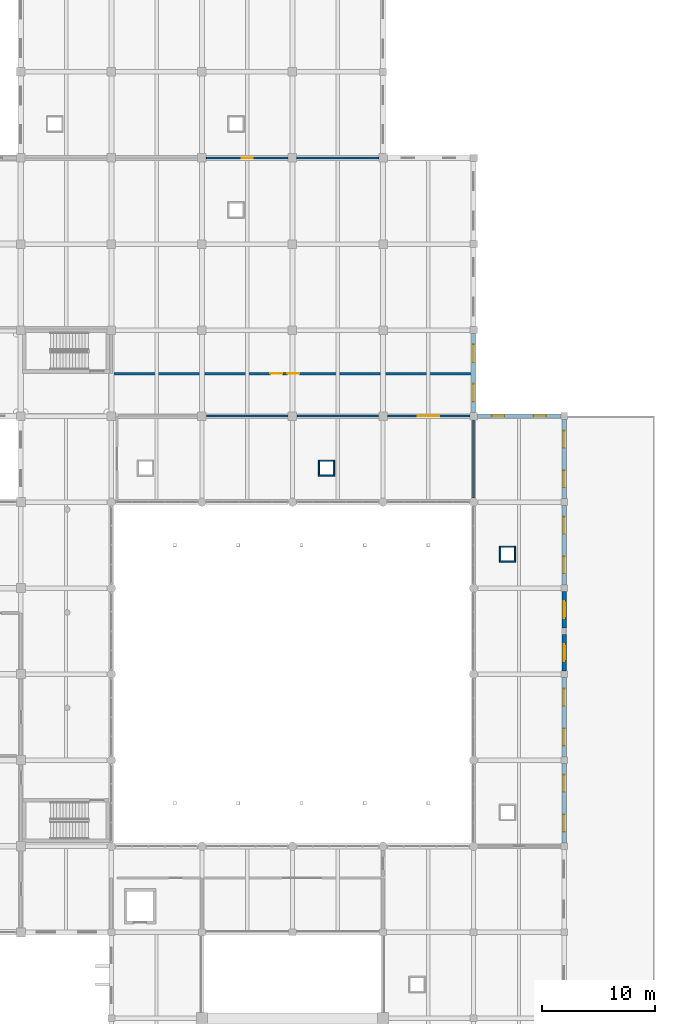
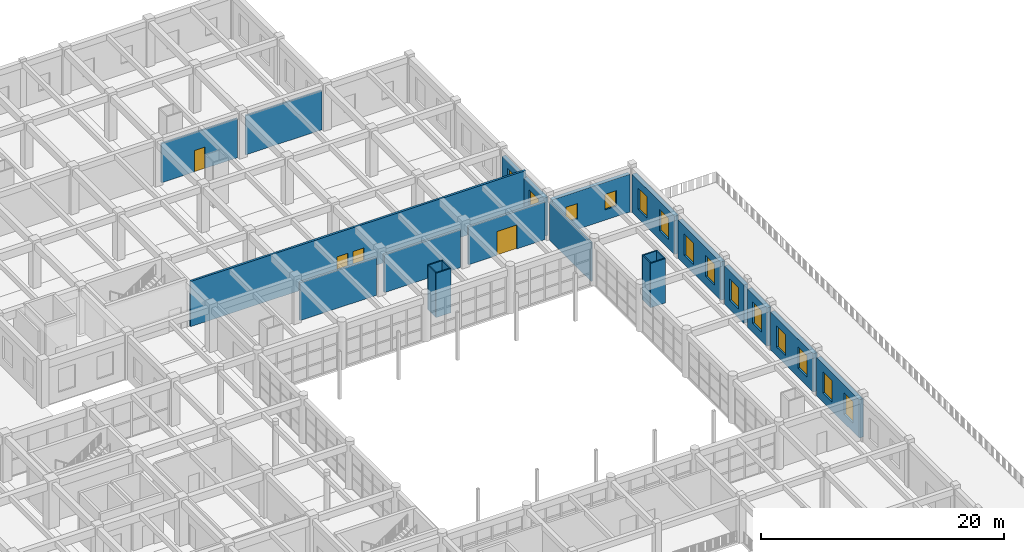
# One storey, part 82 of 101: 23 walls, 14 windows, 4 doors, 18 openings.
"""IFC4 building model written with IfcOpenShell, lengths in metres."""

from ifc_helpers import new_model, si_unit, direction, frame, frame_2d, origin, place, context, subcontext, project, spatial, rectangle, extrude, material, layer, layer_set, type_object, element, fill, save


model = new_model("IFC4")

# Units and contexts
model_context = context("Model", 3, precision=1e-05, world=origin(), true_north=direction((0.0, 1.0)))
body_context = subcontext(model_context, "Body", "Model", "MODEL_VIEW")
ifc_project = project(units=[si_unit("LENGTHUNIT", "METRE"), si_unit("AREAUNIT", "SQUARE_METRE"), si_unit("VOLUMEUNIT", "CUBIC_METRE"), si_unit("PLANEANGLEUNIT", "RADIAN"), si_unit("MASSUNIT", "GRAM", prefix="KILO")], contexts=[model_context])

# Site, building, storey
site_placement = place(None, origin())
site = spatial("IfcSite", under=ifc_project, at=site_placement, CompositionType="ELEMENT")
building_placement = place(site_placement, origin())
building = spatial("IfcBuilding", under=site, at=building_placement, Name="Zantavel Square City Hall", CompositionType="ELEMENT")
storey_placement = place(building_placement, frame((0.0, 0.0, 5.39990234375)))
storey = spatial("IfcBuildingStorey", under=building, at=storey_placement, Name="L02", CompositionType="ELEMENT", Elevation=5.39990234375)

# Wall, openings, windows
ifc_material_1 = material(Name="Cantera volcanic tuff stone", Category="masonry")
ifc_layer_1 = layer(ifc_material_1, 0.39990234375, Name="Cantera volcanic tuff stone")
ifc_layer_set_1 = layer_set([ifc_layer_1], Name="Cantera volcanic tuff stone")
wall_type_1 = type_object("IfcWallType", Name="Civic Pavilion Cantera Ashlar Wall 400mm", PredefinedType="STANDARD", material=ifc_layer_set_1)
wall_1_placement = place(storey_placement, frame((160.0, 75.699951171875, 0.0), z_axis=(0.0, 0.0, 1.0), x_axis=(0.0, -1.0, 0.0)))
wall_1 = element("IfcWall", 1, at=wall_1_placement, inside=storey, type_object=wall_type_1, Name="L02 Exterior Wall EW-L02-051", PredefinedType="STANDARD", context=body_context, shape_type="SweptSolid", body=[
    extrude(rectangle(XDim=7.0, YDim=0.39990234375, at=frame_2d((3.5, 0.0))), origin(), (0.0, 0.0, 1.0), 3.85009765625),
])
opening_1_placement = place(wall_1_placement, frame((1.0, 0.0, 0.89990234375)))
opening_1 = element("IfcOpeningElement", 2, at=opening_1_placement, cuts=wall_1, Name="Opening W-225", PredefinedType="OPENING", context=body_context, shape_type="SweptSolid", body=[
    extrude(rectangle(XDim=1.5, YDim=2.14990234375, at=frame_2d((0.75, 1.074951171875))), frame((0.0, 0.2099609375, 0.0), z_axis=(0.0, -1.0, 0.0), x_axis=(1.0, 0.0, 0.0)), (0.0, 0.0, 1.0), 0.419921875),
])
opening_2_placement = place(wall_1_placement, frame((4.5, 0.0, 0.89990234375)))
opening_2 = element("IfcOpeningElement", 3, at=opening_2_placement, cuts=wall_1, Name="Opening W-226", PredefinedType="OPENING", context=body_context, shape_type="SweptSolid", body=[
    extrude(rectangle(XDim=1.5, YDim=2.14990234375, at=frame_2d((0.75, 1.074951171875))), frame((0.0, 0.2099609375, 0.0), z_axis=(0.0, -1.0, 0.0), x_axis=(1.0, 0.0, 0.0)), (0.0, 0.0, 1.0), 0.419921875),
])
ifc_material_2 = material(Name="Tempered safety glass low-E double glazing", Category="glass")
window_type_1 = type_object("IfcWindowType", Name="Window Mezzanine Annex 1500x2150", PartitioningType="DOUBLE_PANEL_VERTICAL", PredefinedType="WINDOW", material=ifc_material_2)
window_1_placement = place(opening_1_placement, origin())
window_1 = element("IfcWindow", 4, at=window_1_placement, inside=storey, type_object=window_type_1, Name="L02 Window W-225", OverallHeight=2.14990234375, OverallWidth=1.5, PartitioningType="DOUBLE_PANEL_VERTICAL", PredefinedType="WINDOW", context=body_context, shape_type="SweptSolid", body=[
    extrude(rectangle(XDim=1.5, YDim=2.14990234375, at=frame_2d((0.75, 1.074951171875))), frame((0.0, 0.030029296875, 0.0), z_axis=(0.0, -1.0, 0.0), x_axis=(1.0, 0.0, 0.0)), (0.0, 0.0, 1.0), 0.06005859375),
])
fill(opening_1, window_1)
window_2_placement = place(opening_2_placement, origin())
window_2 = element("IfcWindow", 5, at=window_2_placement, inside=storey, type_object=window_type_1, Name="L02 Window W-226", OverallHeight=2.14990234375, OverallWidth=1.5, PartitioningType="DOUBLE_PANEL_VERTICAL", PredefinedType="WINDOW", context=body_context, shape_type="SweptSolid", body=[
    extrude(rectangle(XDim=1.5, YDim=2.14990234375, at=frame_2d((0.75, 1.074951171875))), frame((0.0, 0.030029296875, 0.0), z_axis=(0.0, -1.0, 0.0), x_axis=(1.0, 0.0, 0.0)), (0.0, 0.0, 1.0), 0.06005859375),
])
fill(opening_2, window_2)

wall_2_placement = place(storey_placement, frame((160.0, 68.10009765625, 0.0), z_axis=(0.0, 0.0, 1.0), x_axis=(0.0, -1.0, 0.0)))
wall_2 = element("IfcWall", 6, at=wall_2_placement, inside=storey, type_object=wall_type_1, Name="L02 Exterior Wall EW-L02-052", PredefinedType="STANDARD", context=body_context, shape_type="SweptSolid", body=[
    extrude(rectangle(XDim=7.0, YDim=0.39990234375, at=frame_2d((3.5, 0.0))), origin(), (0.0, 0.0, 1.0), 3.85009765625),
])
opening_3_placement = place(wall_2_placement, frame((1.0, 0.0, 0.89990234375)))
opening_3 = element("IfcOpeningElement", 7, at=opening_3_placement, cuts=wall_2, Name="Opening W-227", PredefinedType="OPENING", context=body_context, shape_type="SweptSolid", body=[
    extrude(rectangle(XDim=1.5, YDim=2.14990234375, at=frame_2d((0.75, 1.074951171875))), frame((0.0, 0.2099609375, 0.0), z_axis=(0.0, -1.0, 0.0), x_axis=(1.0, 0.0, 0.0)), (0.0, 0.0, 1.0), 0.419921875),
])
opening_4_placement = place(wall_2_placement, frame((4.5, 0.0, 0.89990234375)))
opening_4 = element("IfcOpeningElement", 8, at=opening_4_placement, cuts=wall_2, Name="Opening W-228", PredefinedType="OPENING", context=body_context, shape_type="SweptSolid", body=[
    extrude(rectangle(XDim=1.5, YDim=2.14990234375, at=frame_2d((0.75, 1.074951171875))), frame((0.0, 0.2099609375, 0.0), z_axis=(0.0, -1.0, 0.0), x_axis=(1.0, 0.0, 0.0)), (0.0, 0.0, 1.0), 0.419921875),
])
window_3_placement = place(opening_3_placement, origin())
window_3 = element("IfcWindow", 9, at=window_3_placement, inside=storey, type_object=window_type_1, Name="L02 Window W-227", OverallHeight=2.14990234375, OverallWidth=1.5, PartitioningType="DOUBLE_PANEL_VERTICAL", PredefinedType="WINDOW", context=body_context, shape_type="SweptSolid", body=[
    extrude(rectangle(XDim=1.5, YDim=2.14990234375, at=frame_2d((0.75, 1.074951171875))), frame((0.0, 0.030029296875, 0.0), z_axis=(0.0, -1.0, 0.0), x_axis=(1.0, 0.0, 0.0)), (0.0, 0.0, 1.0), 0.06005859375),
])
fill(opening_3, window_3)
window_4_placement = place(opening_4_placement, origin())
window_4 = element("IfcWindow", 10, at=window_4_placement, inside=storey, type_object=window_type_1, Name="L02 Window W-228", OverallHeight=2.14990234375, OverallWidth=1.5, PartitioningType="DOUBLE_PANEL_VERTICAL", PredefinedType="WINDOW", context=body_context, shape_type="SweptSolid", body=[
    extrude(rectangle(XDim=1.5, YDim=2.14990234375, at=frame_2d((0.75, 1.074951171875))), frame((0.0, 0.030029296875, 0.0), z_axis=(0.0, -1.0, 0.0), x_axis=(1.0, 0.0, 0.0)), (0.0, 0.0, 1.0), 0.06005859375),
])
fill(opening_4, window_4)

# Wall, opening, window
wall_3_placement = place(storey_placement, frame((160.0, 60.5, 0.0), z_axis=(0.0, 0.0, 1.0), x_axis=(0.0, -1.0, 0.0)))
wall_3 = element("IfcWall", 11, at=wall_3_placement, inside=storey, type_object=wall_type_1, Name="L02 Exterior Wall EW-L02-053", PredefinedType="STANDARD", context=body_context, shape_type="SweptSolid", body=[
    extrude(rectangle(XDim=3.199951171875, YDim=0.39990234375, at=frame_2d((1.60009765625, 0.0))), origin(), (0.0, 0.0, 1.0), 3.85009765625),
])
opening_5_placement = place(wall_3_placement, frame((0.85009765625, 0.0, 0.89990234375)))
opening_5 = element("IfcOpeningElement", 12, at=opening_5_placement, cuts=wall_3, Name="Opening W-229", PredefinedType="OPENING", context=body_context, shape_type="SweptSolid", body=[
    extrude(rectangle(XDim=1.5, YDim=2.14990234375, at=frame_2d((0.75, 1.074951171875))), frame((0.0, 0.2099609375, 0.0), z_axis=(0.0, -1.0, 0.0), x_axis=(1.0, 0.0, 0.0)), (0.0, 0.0, 1.0), 0.419921875),
])
window_5_placement = place(opening_5_placement, origin())
window_5 = element("IfcWindow", 13, at=window_5_placement, inside=storey, type_object=window_type_1, Name="L02 Window W-229", OverallHeight=2.14990234375, OverallWidth=1.5, PartitioningType="DOUBLE_PANEL_VERTICAL", PredefinedType="WINDOW", context=body_context, shape_type="SweptSolid", body=[
    extrude(rectangle(XDim=1.5, YDim=2.14990234375, at=frame_2d((0.75, 1.074951171875))), frame((0.0, 0.030029296875, 0.0), z_axis=(0.0, -1.0, 0.0), x_axis=(1.0, 0.0, 0.0)), (0.0, 0.0, 1.0), 0.06005859375),
])
fill(opening_5, window_5)

wall_4_placement = place(storey_placement, frame((160.0, 56.699951171875, 0.0), z_axis=(0.0, 0.0, 1.0), x_axis=(0.0, -1.0, 0.0)))
wall_4 = element("IfcWall", 14, at=wall_4_placement, inside=storey, type_object=wall_type_1, Name="L02 Exterior Wall EW-L02-054", PredefinedType="STANDARD", context=body_context, shape_type="SweptSolid", body=[
    extrude(rectangle(XDim=3.199951171875, YDim=0.39990234375, at=frame_2d((1.60009765625, 0.0))), origin(), (0.0, 0.0, 1.0), 3.85009765625),
])
opening_6_placement = place(wall_4_placement, frame((0.85009765625, 0.0, 0.89990234375)))
opening_6 = element("IfcOpeningElement", 15, at=opening_6_placement, cuts=wall_4, Name="Opening W-230", PredefinedType="OPENING", context=body_context, shape_type="SweptSolid", body=[
    extrude(rectangle(XDim=1.5, YDim=2.14990234375, at=frame_2d((0.75, 1.074951171875))), frame((0.0, 0.2099609375, 0.0), z_axis=(0.0, -1.0, 0.0), x_axis=(1.0, 0.0, 0.0)), (0.0, 0.0, 1.0), 0.419921875),
])
window_6_placement = place(opening_6_placement, origin())
window_6 = element("IfcWindow", 16, at=window_6_placement, inside=storey, type_object=window_type_1, Name="L02 Window W-230", OverallHeight=2.14990234375, OverallWidth=1.5, PartitioningType="DOUBLE_PANEL_VERTICAL", PredefinedType="WINDOW", context=body_context, shape_type="SweptSolid", body=[
    extrude(rectangle(XDim=1.5, YDim=2.14990234375, at=frame_2d((0.75, 1.074951171875))), frame((0.0, 0.030029296875, 0.0), z_axis=(0.0, -1.0, 0.0), x_axis=(1.0, 0.0, 0.0)), (0.0, 0.0, 1.0), 0.06005859375),
])
fill(opening_6, window_6)

# Wall, openings, windows
wall_5_placement = place(storey_placement, frame((160.0, 52.89990234375, 0.0), z_axis=(0.0, 0.0, 1.0), x_axis=(0.0, -1.0, 0.0)))
wall_5 = element("IfcWall", 17, at=wall_5_placement, inside=storey, type_object=wall_type_1, Name="L02 Exterior Wall EW-L02-055", PredefinedType="STANDARD", context=body_context, shape_type="SweptSolid", body=[
    extrude(rectangle(XDim=7.0, YDim=0.39990234375, at=frame_2d((3.5, 0.0))), origin(), (0.0, 0.0, 1.0), 3.85009765625),
])
opening_7_placement = place(wall_5_placement, frame((1.0, 0.0, 0.89990234375)))
opening_7 = element("IfcOpeningElement", 18, at=opening_7_placement, cuts=wall_5, Name="Opening W-231", PredefinedType="OPENING", context=body_context, shape_type="SweptSolid", body=[
    extrude(rectangle(XDim=1.5, YDim=2.14990234375, at=frame_2d((0.75, 1.074951171875))), frame((0.0, 0.2099609375, 0.0), z_axis=(0.0, -1.0, 0.0), x_axis=(1.0, 0.0, 0.0)), (0.0, 0.0, 1.0), 0.419921875),
])
opening_8_placement = place(wall_5_placement, frame((4.5, 0.0, 0.89990234375)))
opening_8 = element("IfcOpeningElement", 19, at=opening_8_placement, cuts=wall_5, Name="Opening W-232", PredefinedType="OPENING", context=body_context, shape_type="SweptSolid", body=[
    extrude(rectangle(XDim=1.5, YDim=2.14990234375, at=frame_2d((0.75, 1.074951171875))), frame((0.0, 0.2099609375, 0.0), z_axis=(0.0, -1.0, 0.0), x_axis=(1.0, 0.0, 0.0)), (0.0, 0.0, 1.0), 0.419921875),
])
window_7_placement = place(opening_7_placement, origin())
window_7 = element("IfcWindow", 20, at=window_7_placement, inside=storey, type_object=window_type_1, Name="L02 Window W-231", OverallHeight=2.14990234375, OverallWidth=1.5, PartitioningType="DOUBLE_PANEL_VERTICAL", PredefinedType="WINDOW", context=body_context, shape_type="SweptSolid", body=[
    extrude(rectangle(XDim=1.5, YDim=2.14990234375, at=frame_2d((0.75, 1.074951171875))), frame((0.0, 0.030029296875, 0.0), z_axis=(0.0, -1.0, 0.0), x_axis=(1.0, 0.0, 0.0)), (0.0, 0.0, 1.0), 0.06005859375),
])
fill(opening_7, window_7)
window_8_placement = place(opening_8_placement, origin())
window_8 = element("IfcWindow", 21, at=window_8_placement, inside=storey, type_object=window_type_1, Name="L02 Window W-232", OverallHeight=2.14990234375, OverallWidth=1.5, PartitioningType="DOUBLE_PANEL_VERTICAL", PredefinedType="WINDOW", context=body_context, shape_type="SweptSolid", body=[
    extrude(rectangle(XDim=1.5, YDim=2.14990234375, at=frame_2d((0.75, 1.074951171875))), frame((0.0, 0.030029296875, 0.0), z_axis=(0.0, -1.0, 0.0), x_axis=(1.0, 0.0, 0.0)), (0.0, 0.0, 1.0), 0.06005859375),
])
fill(opening_8, window_8)

wall_6_placement = place(storey_placement, frame((160.0, 45.300048828125, 0.0), z_axis=(0.0, 0.0, 1.0), x_axis=(0.0, -1.0, 0.0)))
wall_6 = element("IfcWall", 22, at=wall_6_placement, inside=storey, type_object=wall_type_1, Name="L02 Exterior Wall EW-L02-056", PredefinedType="STANDARD", context=body_context, shape_type="SweptSolid", body=[
    extrude(rectangle(XDim=7.0, YDim=0.39990234375, at=frame_2d((3.5, 0.0))), origin(), (0.0, 0.0, 1.0), 3.85009765625),
])
opening_9_placement = place(wall_6_placement, frame((1.0, 0.0, 0.89990234375)))
opening_9 = element("IfcOpeningElement", 23, at=opening_9_placement, cuts=wall_6, Name="Opening W-233", PredefinedType="OPENING", context=body_context, shape_type="SweptSolid", body=[
    extrude(rectangle(XDim=1.5, YDim=2.14990234375, at=frame_2d((0.75, 1.074951171875))), frame((0.0, 0.2099609375, 0.0), z_axis=(0.0, -1.0, 0.0), x_axis=(1.0, 0.0, 0.0)), (0.0, 0.0, 1.0), 0.419921875),
])
opening_10_placement = place(wall_6_placement, frame((4.5, 0.0, 0.89990234375)))
opening_10 = element("IfcOpeningElement", 24, at=opening_10_placement, cuts=wall_6, Name="Opening W-234", PredefinedType="OPENING", context=body_context, shape_type="SweptSolid", body=[
    extrude(rectangle(XDim=1.5, YDim=2.14990234375, at=frame_2d((0.75, 1.074951171875))), frame((0.0, 0.2099609375, 0.0), z_axis=(0.0, -1.0, 0.0), x_axis=(1.0, 0.0, 0.0)), (0.0, 0.0, 1.0), 0.419921875),
])
window_9_placement = place(opening_9_placement, origin())
window_9 = element("IfcWindow", 25, at=window_9_placement, inside=storey, type_object=window_type_1, Name="L02 Window W-233", OverallHeight=2.14990234375, OverallWidth=1.5, PartitioningType="DOUBLE_PANEL_VERTICAL", PredefinedType="WINDOW", context=body_context, shape_type="SweptSolid", body=[
    extrude(rectangle(XDim=1.5, YDim=2.14990234375, at=frame_2d((0.75, 1.074951171875))), frame((0.0, 0.030029296875, 0.0), z_axis=(0.0, -1.0, 0.0), x_axis=(1.0, 0.0, 0.0)), (0.0, 0.0, 1.0), 0.06005859375),
])
fill(opening_9, window_9)
window_10_placement = place(opening_10_placement, origin())
window_10 = element("IfcWindow", 26, at=window_10_placement, inside=storey, type_object=window_type_1, Name="L02 Window W-234", OverallHeight=2.14990234375, OverallWidth=1.5, PartitioningType="DOUBLE_PANEL_VERTICAL", PredefinedType="WINDOW", context=body_context, shape_type="SweptSolid", body=[
    extrude(rectangle(XDim=1.5, YDim=2.14990234375, at=frame_2d((0.75, 1.074951171875))), frame((0.0, 0.030029296875, 0.0), z_axis=(0.0, -1.0, 0.0), x_axis=(1.0, 0.0, 0.0)), (0.0, 0.0, 1.0), 0.06005859375),
])
fill(opening_10, window_10)

ifc_layer_2 = layer(ifc_material_1, 0.360107421875, Name="Cantera volcanic tuff stone")
ifc_layer_set_2 = layer_set([ifc_layer_2], Name="Cantera volcanic tuff stone")
wall_type_2 = type_object("IfcWallType", Name="Courtyard Cantera Facade Wall 360mm", PredefinedType="STANDARD", material=ifc_layer_set_2)
wall_7_placement = place(storey_placement, frame((152.0, 83.27490234375, 0.0), z_axis=(0.0, 0.0, 1.0), x_axis=(0.0, -1.0, 0.0)))
wall_7 = element("IfcWall", 27, at=wall_7_placement, inside=storey, type_object=wall_type_2, Name="L02 Exterior Wall EW-L02-049", PredefinedType="STANDARD", context=body_context, shape_type="SweptSolid", body=[
    extrude(rectangle(XDim=6.949951171875, YDim=0.360107421875, at=frame_2d((3.47509765625, 0.0))), origin(), (0.0, 0.0, 1.0), 3.840087890625),
])
opening_11_placement = place(wall_7_placement, frame((0.947509765625, 0.0, 0.89990234375)))
opening_11 = element("IfcOpeningElement", 28, at=opening_11_placement, cuts=wall_7, Name="Opening W-221", PredefinedType="OPENING", context=body_context, shape_type="SweptSolid", body=[
    extrude(rectangle(XDim=1.580078125, YDim=2.280029296875, at=frame_2d((0.7900390625, 1.14013671875))), frame((0.0, 0.18994140625, 0.0), z_axis=(0.0, -1.0, 0.0), x_axis=(1.0, 0.0, 0.0)), (0.0, 0.0, 1.0), 0.380126953125),
])
opening_12_placement = place(wall_7_placement, frame((4.422607421875, 0.0, 0.89990234375)))
opening_12 = element("IfcOpeningElement", 29, at=opening_12_placement, cuts=wall_7, Name="Opening W-222", PredefinedType="OPENING", context=body_context, shape_type="SweptSolid", body=[
    extrude(rectangle(XDim=1.580078125, YDim=2.280029296875, at=frame_2d((0.7900390625, 1.14013671875))), frame((0.0, 0.18994140625, 0.0), z_axis=(0.0, -1.0, 0.0), x_axis=(1.0, 0.0, 0.0)), (0.0, 0.0, 1.0), 0.380126953125),
])
window_type_2 = type_object("IfcWindowType", Name="Window Treasury Tall 1580x2280", PartitioningType="DOUBLE_PANEL_VERTICAL", PredefinedType="WINDOW", material=ifc_material_2)
window_11_placement = place(opening_11_placement, origin())
window_11 = element("IfcWindow", 30, at=window_11_placement, inside=storey, type_object=window_type_2, Name="L02 Window W-221", OverallHeight=2.280029296875, OverallWidth=1.580078125, PartitioningType="DOUBLE_PANEL_VERTICAL", PredefinedType="WINDOW", context=body_context, shape_type="SweptSolid", body=[
    extrude(rectangle(XDim=1.580078125, YDim=2.280029296875, at=frame_2d((0.7900390625, 1.14013671875))), frame((0.0, 0.030029296875, 0.0), z_axis=(0.0, -1.0, 0.0), x_axis=(1.0, 0.0, 0.0)), (0.0, 0.0, 1.0), 0.06005859375),
])
fill(opening_11, window_11)
window_12_placement = place(opening_12_placement, origin())
window_12 = element("IfcWindow", 31, at=window_12_placement, inside=storey, type_object=window_type_2, Name="L02 Window W-222", OverallHeight=2.280029296875, OverallWidth=1.580078125, PartitioningType="DOUBLE_PANEL_VERTICAL", PredefinedType="WINDOW", context=body_context, shape_type="SweptSolid", body=[
    extrude(rectangle(XDim=1.580078125, YDim=2.280029296875, at=frame_2d((0.7900390625, 1.14013671875))), frame((0.0, 0.030029296875, 0.0), z_axis=(0.0, -1.0, 0.0), x_axis=(1.0, 0.0, 0.0)), (0.0, 0.0, 1.0), 0.06005859375),
])
fill(opening_12, window_12)

# Wall
ifc_material_3 = material(Name="Gypsum acoustic stud assembly", Category="masonry")
ifc_layer_3 = layer(ifc_material_3, 0.14990234375, Name="Gypsum acoustic stud assembly")
ifc_layer_set_3 = layer_set([ifc_layer_3], Name="Gypsum acoustic stud assembly")
wall_type_3 = type_object("IfcWallType", Name="Department Office Partition 150mm", PredefinedType="PARTITIONING", material=ifc_layer_set_3)
wall_8_placement = place(storey_placement, frame((152.0, 68.784912109375, 0.0), z_axis=(0.0, 0.0, 1.0), x_axis=(0.0, 1.0, 0.0)))
element("IfcWall", 32, at=wall_8_placement, inside=storey, type_object=wall_type_3, Name="L02 Interior Wall IW-L02-0208", PredefinedType="PARTITIONING", context=body_context, shape_type="SweptSolid", body=[
    extrude(rectangle(XDim=6.880126953125, YDim=0.14990234375, at=frame_2d((3.43994140625, 0.0))), origin(), (0.0, 0.0, 1.0), 3.8701171875),
])

# Wall, opening, door
wall_9_placement = place(storey_placement, frame((128.385009765625, 98.800048828125, 0.0), z_axis=(0.0, 0.0, 1.0), x_axis=(1.0, 0.0, 0.0)))
wall_9 = element("IfcWall", 33, at=wall_9_placement, inside=storey, type_object=wall_type_3, Name="L02 Interior Wall IW-L02-0214", PredefinedType="PARTITIONING", context=body_context, shape_type="SweptSolid", body=[
    extrude(rectangle(XDim=7.22998046875, YDim=0.14990234375, at=frame_2d((3.614990234375, 0.0))), origin(), (0.0, 0.0, 1.0), 3.940185546875),
])
opening_13_placement = place(wall_9_placement, frame((3.114990234375, 0.0, 0.0)))
opening_13 = element("IfcOpeningElement", 34, at=opening_13_placement, cuts=wall_9, Name="Opening D-0113", PredefinedType="OPENING", context=body_context, shape_type="SweptSolid", body=[
    extrude(rectangle(XDim=1.0, YDim=2.14990234375, at=frame_2d((0.5, 1.074951171875))), frame((0.0, 0.0849609375, 0.0), z_axis=(0.0, -1.0, 0.0), x_axis=(1.0, 0.0, 0.0)), (0.0, 0.0, 1.0), 0.169921875),
])
ifc_material_4 = material(Name="Solid oak hardwood", Category="wood")
door_type_1 = type_object("IfcDoorType", Name="Suite Internal Oak Single Door 1000x2150", OperationType="NOTDEFINED", PredefinedType="DOOR", material=ifc_material_4)
door_1_placement = place(opening_13_placement, origin())
door_1 = element("IfcDoor", 35, at=door_1_placement, inside=storey, type_object=door_type_1, Name="L02 Budget and Accounting Division Door", OperationType="SINGLE_SWING_LEFT", OverallHeight=2.14990234375, OverallWidth=1.0, PredefinedType="DOOR", context=body_context, shape_type="SweptSolid", body=[
    extrude(rectangle(XDim=1.0, YDim=2.14990234375, at=frame_2d((0.5, 1.074951171875))), frame((0.0, 0.02490234375, 0.0), z_axis=(0.0, -1.0, 0.0), x_axis=(1.0, 0.0, 0.0)), (0.0, 0.0, 1.0), 0.050048828125),
])
fill(opening_13, door_1)

# Wall
wall_10_placement = place(storey_placement, frame((136.385009765625, 98.800048828125, 0.0), z_axis=(0.0, 0.0, 1.0), x_axis=(1.0, 0.0, 0.0)))
element("IfcWall", 36, at=wall_10_placement, inside=storey, type_object=wall_type_3, Name="L02 Interior Wall IW-L02-0215", PredefinedType="PARTITIONING", context=body_context, shape_type="SweptSolid", body=[
    extrude(rectangle(XDim=7.22998046875, YDim=0.14990234375, at=frame_2d((3.614990234375, 0.0))), origin(), (0.0, 0.0, 1.0), 3.940185546875),
])

# Wall, openings, doors
ifc_layer_4 = layer(ifc_material_1, 0.199951171875, Name="Cantera volcanic tuff stone")
ifc_layer_set_4 = layer_set([ifc_layer_4], Name="Cantera volcanic tuff stone")
wall_type_4 = type_object("IfcWallType", Name="Exit Corridor Rated Wall 200mm", PredefinedType="STANDARD", material=ifc_layer_set_4)
wall_11_placement = place(storey_placement, frame((152.0, 79.75, 0.0), z_axis=(0.0, 0.0, 1.0), x_axis=(-1.0, 0.0, 0.0)))
wall_11 = element("IfcWall", 37, at=wall_11_placement, inside=storey, type_object=wall_type_4, Name="L02 Interior Wall IW-L02-0216", PredefinedType="STANDARD", context=body_context, shape_type="SweptSolid", body=[
    extrude(rectangle(XDim=31.85009765625, YDim=0.199951171875, at=frame_2d((15.925048828125, 0.0))), origin(), (0.0, 0.0, 1.0), 4.5400390625),
])
opening_14_placement = place(wall_11_placement, frame((15.39990234375, 0.0, 0.0)))
opening_14 = element("IfcOpeningElement", 38, at=opening_14_placement, cuts=wall_11, Name="Opening D-0094", PredefinedType="OPENING", context=body_context, shape_type="SweptSolid", body=[
    extrude(rectangle(XDim=1.050048828125, YDim=2.14990234375, at=frame_2d((0.52490234375, 1.074951171875))), frame((0.0, 0.10986328125, 0.0), z_axis=(0.0, -1.0, 0.0), x_axis=(1.0, 0.0, 0.0)), (0.0, 0.0, 1.0), 0.219970703125),
])
opening_15_placement = place(wall_11_placement, frame((16.89990234375, 0.0, 0.0)))
opening_15 = element("IfcOpeningElement", 39, at=opening_15_placement, cuts=wall_11, Name="Opening D-0114", PredefinedType="OPENING", context=body_context, shape_type="SweptSolid", body=[
    extrude(rectangle(XDim=1.050048828125, YDim=2.14990234375, at=frame_2d((0.52490234375, 1.074951171875))), frame((0.0, 0.10986328125, 0.0), z_axis=(0.0, -1.0, 0.0), x_axis=(1.0, 0.0, 0.0)), (0.0, 0.0, 1.0), 0.219970703125),
])
door_type_2 = type_object("IfcDoorType", Name="Corridor Office Oak Fire Door 1050x2150 FD60S", OperationType="NOTDEFINED", PredefinedType="DOOR", material=ifc_material_4)
door_2_placement = place(opening_14_placement, origin())
door_2 = element("IfcDoor", 40, at=door_2_placement, inside=storey, type_object=door_type_2, Name="L02 Municipal Treasury Department Door", OperationType="SINGLE_SWING_RIGHT", OverallHeight=2.14990234375, OverallWidth=1.050048828125, PredefinedType="DOOR", context=body_context, shape_type="SweptSolid", body=[
    extrude(rectangle(XDim=1.050048828125, YDim=2.14990234375, at=frame_2d((0.52490234375, 1.074951171875))), frame((0.0, 0.02490234375, 0.0), z_axis=(0.0, -1.0, 0.0), x_axis=(1.0, 0.0, 0.0)), (0.0, 0.0, 1.0), 0.050048828125),
])
fill(opening_14, door_2)
door_3_placement = place(opening_15_placement, origin())
door_3 = element("IfcDoor", 41, at=door_3_placement, inside=storey, type_object=door_type_2, Name="L02 Municipal Treasury Department Door", OperationType="SINGLE_SWING_RIGHT", OverallHeight=2.14990234375, OverallWidth=1.050048828125, PredefinedType="DOOR", context=body_context, shape_type="SweptSolid", body=[
    extrude(rectangle(XDim=1.050048828125, YDim=2.14990234375, at=frame_2d((0.52490234375, 1.074951171875))), frame((0.0, 0.02490234375, 0.0), z_axis=(0.0, -1.0, 0.0), x_axis=(1.0, 0.0, 0.0)), (0.0, 0.0, 1.0), 0.050048828125),
])
fill(opening_15, door_3)

# Walls
for number, where, z_axis, x_axis, name in (
    (42, (128.385009765625, 76.0, 0.0), (0.0, 0.0, 1.0), (1.0, 0.0, 0.0), "L02 Interior Wall IW-L02-0226"),
    (43, (136.385009765625, 76.0, 0.0), (0.0, 0.0, 1.0), (1.0, 0.0, 0.0), "L02 Interior Wall IW-L02-0227"),
):
    element("IfcWall", number, at=place(storey_placement, frame(where, z_axis=z_axis, x_axis=x_axis)), inside=storey, type_object=wall_type_4, Name=name, PredefinedType="STANDARD", context=body_context, shape_type="SweptSolid", body=[
        extrude(rectangle(XDim=7.22998046875, YDim=0.199951171875, at=frame_2d((3.614990234375, 0.0))), origin(), (0.0, 0.0, 1.0), 3.800048828125),
    ])

# Wall, opening, door
wall_12_placement = place(storey_placement, frame((144.385009765625, 76.0, 0.0), z_axis=(0.0, 0.0, 1.0), x_axis=(1.0, 0.0, 0.0)))
wall_12 = element("IfcWall", 44, at=wall_12_placement, inside=storey, type_object=wall_type_4, Name="L02 Interior Wall IW-L02-0228", PredefinedType="STANDARD", context=body_context, shape_type="SweptSolid", body=[
    extrude(rectangle(XDim=7.280029296875, YDim=0.199951171875, at=frame_2d((3.64013671875, 0.0))), origin(), (0.0, 0.0, 1.0), 3.800048828125),
])
opening_16_placement = place(wall_12_placement, frame((2.68994140625, 0.0, 0.0)))
opening_16 = element("IfcOpeningElement", 45, at=opening_16_placement, cuts=wall_12, Name="Opening D-0098", PredefinedType="OPENING", context=body_context, shape_type="SweptSolid", body=[
    extrude(rectangle(XDim=1.89990234375, YDim=2.39990234375, at=frame_2d((0.949951171875, 1.199951171875))), frame((0.0, 0.10986328125, 0.0), z_axis=(0.0, -1.0, 0.0), x_axis=(1.0, 0.0, 0.0)), (0.0, 0.0, 1.0), 0.219970703125),
])
door_type_3 = type_object("IfcDoorType", Name="Civic Hall Oak Fire Double Door 1900x2400 FD60S", OperationType="NOTDEFINED", PredefinedType="DOOR", material=ifc_material_4)
door_4_placement = place(opening_16_placement, origin())
door_4 = element("IfcDoor", 46, at=door_4_placement, inside=storey, type_object=door_type_3, Name="L02 Civil Marriage Hall Door", OperationType="DOUBLE_DOOR_SINGLE_SWING", OverallHeight=2.39990234375, OverallWidth=1.89990234375, PredefinedType="DOOR", context=body_context, shape_type="SweptSolid", body=[
    extrude(rectangle(XDim=1.89990234375, YDim=2.39990234375, at=frame_2d((0.949951171875, 1.199951171875))), frame((0.0, 0.02490234375, 0.0), z_axis=(0.0, -1.0, 0.0), x_axis=(1.0, 0.0, 0.0)), (0.0, 0.0, 1.0), 0.050048828125),
])
fill(opening_16, door_4)

# Wall, openings, windows
ifc_layer_5 = layer(ifc_material_1, 0.340087890625, Name="Cantera volcanic tuff stone")
ifc_layer_set_5 = layer_set([ifc_layer_5], Name="Cantera volcanic tuff stone")
wall_type_5 = type_object("IfcWallType", Name="North Insulated Cantera Wall 340mm", PredefinedType="STANDARD", material=ifc_layer_set_5)
wall_13_placement = place(storey_placement, frame((152.324951171875, 76.0, 0.0), z_axis=(0.0, 0.0, 1.0), x_axis=(1.0, 0.0, 0.0)))
wall_13 = element("IfcWall", 47, at=wall_13_placement, inside=storey, type_object=wall_type_5, Name="L02 Exterior Wall EW-L02-050", PredefinedType="STANDARD", context=body_context, shape_type="SweptSolid", body=[
    extrude(rectangle(XDim=7.375, YDim=0.340087890625, at=frame_2d((3.6875, 0.0))), origin(), (0.0, 0.0, 1.0), 3.800048828125),
])
opening_17_placement = place(wall_13_placement, frame((1.293701171875, 0.0, 1.050048828125)))
opening_17 = element("IfcOpeningElement", 48, at=opening_17_placement, cuts=wall_13, Name="Opening W-223", PredefinedType="OPENING", context=body_context, shape_type="SweptSolid", body=[
    extrude(rectangle(XDim=1.10009765625, YDim=1.550048828125, at=frame_2d((0.550048828125, 0.77490234375))), frame((0.0, 0.179931640625, 0.0), z_axis=(0.0, -1.0, 0.0), x_axis=(1.0, 0.0, 0.0)), (0.0, 0.0, 1.0), 0.360107421875),
])
opening_18_placement = place(wall_13_placement, frame((4.981201171875, 0.0, 1.050048828125)))
opening_18 = element("IfcOpeningElement", 49, at=opening_18_placement, cuts=wall_13, Name="Opening W-224", PredefinedType="OPENING", context=body_context, shape_type="SweptSolid", body=[
    extrude(rectangle(XDim=1.10009765625, YDim=1.550048828125, at=frame_2d((0.550048828125, 0.77490234375))), frame((0.0, 0.179931640625, 0.0), z_axis=(0.0, -1.0, 0.0), x_axis=(1.0, 0.0, 0.0)), (0.0, 0.0, 1.0), 0.360107421875),
])
window_type_3 = type_object("IfcWindowType", Name="Window Mezzanine North 1100x1550", PartitioningType="SINGLE_PANEL", PredefinedType="WINDOW", material=ifc_material_2)
window_13_placement = place(opening_17_placement, origin())
window_13 = element("IfcWindow", 50, at=window_13_placement, inside=storey, type_object=window_type_3, Name="L02 Window W-223", OverallHeight=1.550048828125, OverallWidth=1.10009765625, PartitioningType="SINGLE_PANEL", PredefinedType="WINDOW", context=body_context, shape_type="SweptSolid", body=[
    extrude(rectangle(XDim=1.10009765625, YDim=1.550048828125, at=frame_2d((0.550048828125, 0.77490234375))), frame((0.0, 0.030029296875, 0.0), z_axis=(0.0, -1.0, 0.0), x_axis=(1.0, 0.0, 0.0)), (0.0, 0.0, 1.0), 0.06005859375),
])
fill(opening_17, window_13)
window_14_placement = place(opening_18_placement, origin())
window_14 = element("IfcWindow", 51, at=window_14_placement, inside=storey, type_object=window_type_3, Name="L02 Window W-224", OverallHeight=1.550048828125, OverallWidth=1.10009765625, PartitioningType="SINGLE_PANEL", PredefinedType="WINDOW", context=body_context, shape_type="SweptSolid", body=[
    extrude(rectangle(XDim=1.10009765625, YDim=1.550048828125, at=frame_2d((0.550048828125, 0.77490234375))), frame((0.0, 0.030029296875, 0.0), z_axis=(0.0, -1.0, 0.0), x_axis=(1.0, 0.0, 0.0)), (0.0, 0.0, 1.0), 0.06005859375),
])
fill(opening_18, window_14)

# Walls
ifc_material_5 = material(Name="Concrete C35/45", Category="concrete")
ifc_layer_6 = layer(ifc_material_5, 0.1201171875, Name="Concrete C35/45")
ifc_layer_set_6 = layer_set([ifc_layer_6], Name="Concrete C35/45")
wall_type_6 = type_object("IfcWallType", Name="Riser Chase Wall RC 120mm C35/45", PredefinedType="PARTITIONING", material=ifc_layer_set_6)
wall_14_placement = place(storey_placement, frame((155.719970703125, 63.139892578125, 0.0), z_axis=(0.0, 0.0, 1.0), x_axis=(-1.0, 0.0, 0.0)))
element("IfcWall", 52, at=wall_14_placement, inside=storey, type_object=wall_type_6, Name="L02 MEP Riser 08 Wall S", PredefinedType="PARTITIONING", context=body_context, shape_type="SweptSolid", body=[
    extrude(rectangle(XDim=1.43994140625, YDim=0.1201171875, at=frame_2d((0.719970703125, 0.0))), origin(), (0.0, 0.0, 1.0), 4.4501953125),
])
wall_15_placement = place(storey_placement, frame((154.340087890625, 63.199951171875, 0.0), z_axis=(0.0, 0.0, 1.0), x_axis=(0.0, 1.0, 0.0)))
element("IfcWall", 53, at=wall_15_placement, inside=storey, type_object=wall_type_6, Name="L02 MEP Riser 08 Wall W", PredefinedType="PARTITIONING", context=body_context, shape_type="SweptSolid", body=[
    extrude(rectangle(XDim=1.199951171875, YDim=0.1201171875, at=frame_2d((0.60009765625, 0.0))), origin(), (0.0, 0.0, 1.0), 4.4501953125),
])
wall_16_placement = place(storey_placement, frame((154.280029296875, 64.4599609375, 0.0), z_axis=(0.0, 0.0, 1.0), x_axis=(1.0, 0.0, 0.0)))
element("IfcWall", 54, at=wall_16_placement, inside=storey, type_object=wall_type_6, Name="L02 MEP Riser 08 Wall N", PredefinedType="PARTITIONING", context=body_context, shape_type="SweptSolid", body=[
    extrude(rectangle(XDim=1.43994140625, YDim=0.1201171875, at=frame_2d((0.719970703125, 0.0))), origin(), (0.0, 0.0, 1.0), 4.4501953125),
])
wall_17_placement = place(storey_placement, frame((155.659912109375, 64.39990234375, 0.0), z_axis=(0.0, 0.0, 1.0), x_axis=(0.0, -1.0, 0.0)))
element("IfcWall", 55, at=wall_17_placement, inside=storey, type_object=wall_type_6, Name="L02 MEP Riser 08 Wall E", PredefinedType="PARTITIONING", context=body_context, shape_type="SweptSolid", body=[
    extrude(rectangle(XDim=1.199951171875, YDim=0.1201171875, at=frame_2d((0.60009765625, 0.0))), origin(), (0.0, 0.0, 1.0), 4.4501953125),
])
wall_18_placement = place(storey_placement, frame((139.719970703125, 70.739990234375, 0.0), z_axis=(0.0, 0.0, 1.0), x_axis=(-1.0, 0.0, 0.0)))
element("IfcWall", 56, at=wall_18_placement, inside=storey, type_object=wall_type_6, Name="L02 MEP Riser 10 Wall S", PredefinedType="PARTITIONING", context=body_context, shape_type="SweptSolid", body=[
    extrude(rectangle(XDim=1.43994140625, YDim=0.1201171875, at=frame_2d((0.719970703125, 0.0))), origin(), (0.0, 0.0, 1.0), 4.4501953125),
])
wall_19_placement = place(storey_placement, frame((138.340087890625, 70.800048828125, 0.0), z_axis=(0.0, 0.0, 1.0), x_axis=(0.0, 1.0, 0.0)))
element("IfcWall", 57, at=wall_19_placement, inside=storey, type_object=wall_type_6, Name="L02 MEP Riser 10 Wall W", PredefinedType="PARTITIONING", context=body_context, shape_type="SweptSolid", body=[
    extrude(rectangle(XDim=1.199951171875, YDim=0.1201171875, at=frame_2d((0.60009765625, 0.0))), origin(), (0.0, 0.0, 1.0), 4.4501953125),
])
wall_20_placement = place(storey_placement, frame((138.280029296875, 72.06005859375, 0.0), z_axis=(0.0, 0.0, 1.0), x_axis=(1.0, 0.0, 0.0)))
element("IfcWall", 58, at=wall_20_placement, inside=storey, type_object=wall_type_6, Name="L02 MEP Riser 10 Wall N", PredefinedType="PARTITIONING", context=body_context, shape_type="SweptSolid", body=[
    extrude(rectangle(XDim=1.43994140625, YDim=0.1201171875, at=frame_2d((0.719970703125, 0.0))), origin(), (0.0, 0.0, 1.0), 4.4501953125),
])
wall_21_placement = place(storey_placement, frame((139.659912109375, 72.0, 0.0), z_axis=(0.0, 0.0, 1.0), x_axis=(0.0, -1.0, 0.0)))
element("IfcWall", 59, at=wall_21_placement, inside=storey, type_object=wall_type_6, Name="L02 MEP Riser 10 Wall E", PredefinedType="PARTITIONING", context=body_context, shape_type="SweptSolid", body=[
    extrude(rectangle(XDim=1.199951171875, YDim=0.1201171875, at=frame_2d((0.60009765625, 0.0))), origin(), (0.0, 0.0, 1.0), 4.4501953125),
])

save(model, "model.ifc")
